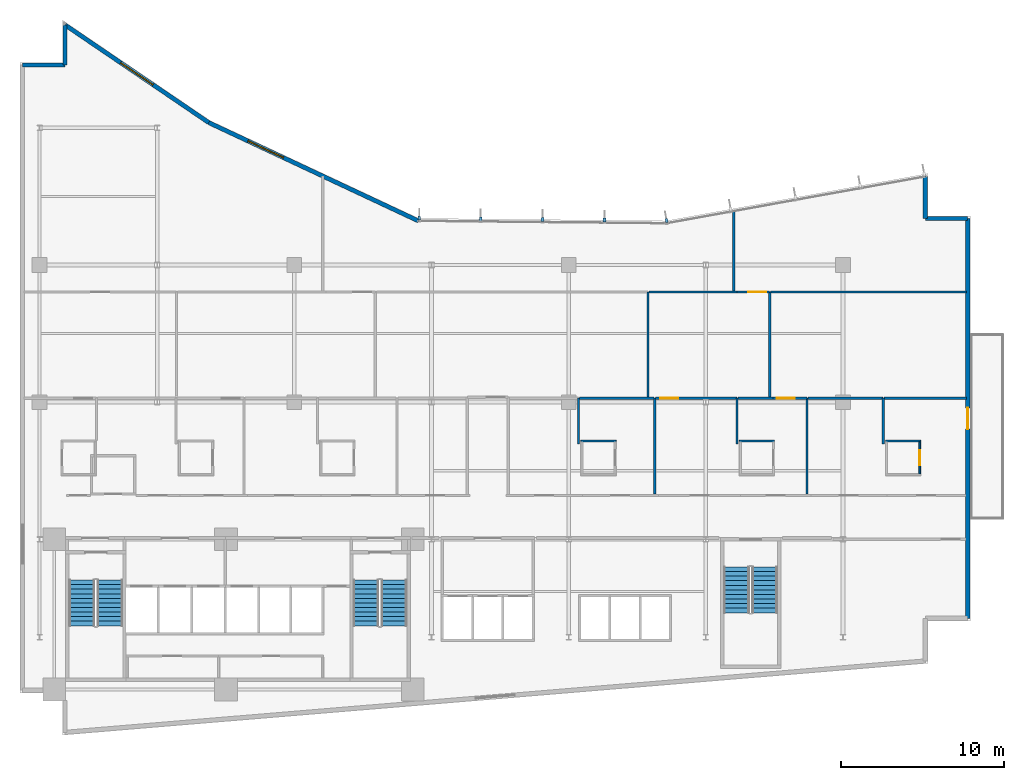
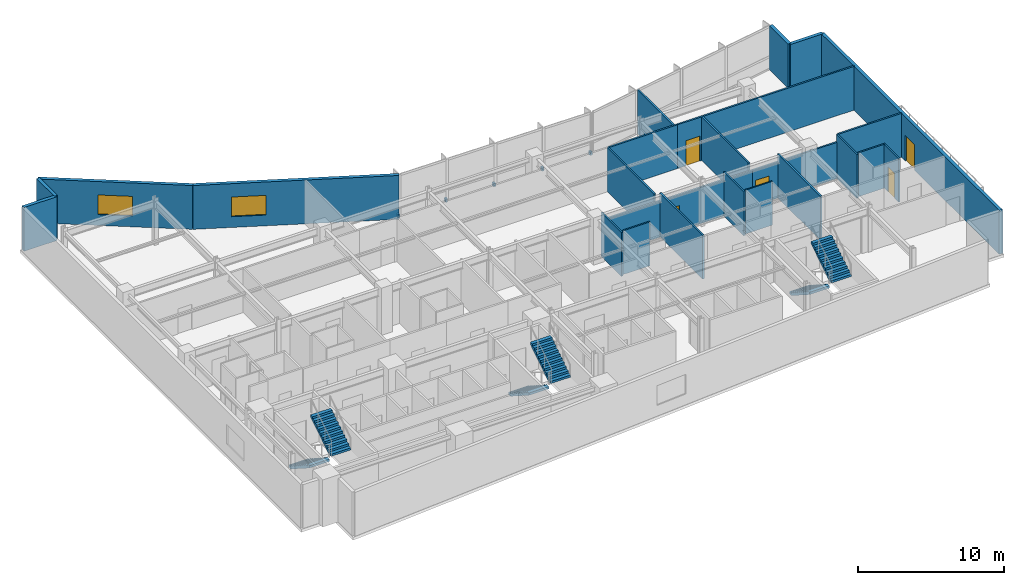
# One storey, part 13 of 19: 28 walls, 6 stair flights, 5 discrete accessories, 5 doors, 2 windows, 7 openings, 3 elements without a shape of their own.
"""IFC4 building model written with IfcOpenShell, lengths in metres."""

import ifcopenshell
import ifcopenshell.guid

model = None  # the IFC model being written
_history = None  # IfcOwnerHistory: only IFC2X3 demands one
_inside = {}  # id of a spatial element -> (the spatial element, [elements in it])
_under = {}  # id of a project, library or spatial element -> (it, [spatial elements below it])
_declared = {}  # id of a project -> (the project, [libraries it declares])
_typed = {}  # id of a type object -> (the type object, [elements of that type])
_made_of = {}  # id of a material, layer set ... -> (it, [elements and type objects made of it])


def new_model(schema):
    """Start an empty IFC model of exactly this schema.

    Asked for "IFC4X3", IfcOpenShell would pick the latest addendum, in which some entities
    have other attributes; the version numbers below select the first issue.
    IFC2X3 requires an IfcOwnerHistory on every rooted entity: one is made here for all.
    """
    global model, _history
    if schema == "IFC4X3":
        model = ifcopenshell.file(schema_version=(4, 3, 0, 0))
    else:
        model = ifcopenshell.file(schema=schema)
    _inside.clear()
    _under.clear()
    _declared.clear()
    _typed.clear()
    _made_of.clear()
    _history = None
    if model.schema == "IFC2X3":
        org = make("IfcOrganization", Name="unknown")
        user = make(
            "IfcPersonAndOrganization",
            ThePerson=make("IfcPerson", FamilyName="unknown"),
            TheOrganization=org,
        )
        app = make(
            "IfcApplication",
            ApplicationDeveloper=org,
            Version="unknown",
            ApplicationFullName="unknown",
            ApplicationIdentifier="unknown",
        )
        _history = make(
            "IfcOwnerHistory",
            OwningUser=user,
            OwningApplication=app,
            ChangeAction="ADDED",
            CreationDate=0,
        )
    return model


def make(cls, **values):
    """One entity of the class cls with the attributes given. An attribute that is None is left unset."""
    return model.create_entity(
        cls, **{name: value for name, value in values.items() if value is not None}
    )


def rooted(cls, **values):
    """An entity with a GlobalId (a new one), such as an element, a storey or a relation."""
    return make(cls, GlobalId=ifcopenshell.guid.new(), OwnerHistory=_history, **values)


def si_unit(unit_type, name, prefix=None):
    """IfcSIUnit, for example si_unit("LENGTHUNIT", "METRE", prefix="MILLI")."""
    return make("IfcSIUnit", UnitType=unit_type, Prefix=prefix, Name=name)


def assignment(units):
    """IfcUnitAssignment: the units of a project."""
    return None if units is None else make("IfcUnitAssignment", Units=units)


def point(xyz):
    """IfcCartesianPoint."""
    return None if xyz is None else make("IfcCartesianPoint", Coordinates=xyz)


def direction(xyz):
    """IfcDirection."""
    return None if xyz is None else make("IfcDirection", DirectionRatios=xyz)


def frame(location, z_axis=None, x_axis=None):
    """IfcAxis2Placement3D, a coordinate frame: its origin and axes. An axis left out is left unset."""
    return make(
        "IfcAxis2Placement3D",
        Location=point(location),
        Axis=direction(z_axis),
        RefDirection=direction(x_axis),
    )


def frame_2d(location, x_axis=None):
    """IfcAxis2Placement2D, a coordinate frame in the plane: its origin and x axis."""
    return make(
        "IfcAxis2Placement2D", Location=point(location), RefDirection=direction(x_axis)
    )


def origin():
    """The frame at (0, 0, 0) with its axes left unset."""
    return frame((0.0, 0.0, 0.0))


def origin_2d():
    """The frame at (0, 0) in the plane with its x axis left unset."""
    return frame_2d((0.0, 0.0))


def place(relative_to, where):
    """IfcLocalPlacement: puts the frame where relative to a parent placement (None: the world)."""
    return make(
        "IfcLocalPlacement", PlacementRelTo=relative_to, RelativePlacement=where
    )


def context(
    kind, dimensions, precision=None, world=None, true_north=None, identifier=None
):
    """IfcGeometricRepresentationContext, for example the 3D "Model" context."""
    return make(
        "IfcGeometricRepresentationContext",
        ContextIdentifier=identifier,
        ContextType=kind,
        CoordinateSpaceDimension=dimensions,
        Precision=precision,
        WorldCoordinateSystem=world,
        TrueNorth=true_north,
    )


def subcontext(parent, identifier, kind, view, scale=None):
    """IfcGeometricRepresentationSubContext, for example "Body" below "Model"."""
    return make(
        "IfcGeometricRepresentationSubContext",
        ContextIdentifier=identifier,
        ContextType=kind,
        ParentContext=parent,
        TargetScale=scale,
        TargetView=view,
    )


def project(units=None, contexts=None):
    """IfcProject with its units and contexts."""
    return rooted(
        "IfcProject",
        Name="project",
        RepresentationContexts=contexts,
        UnitsInContext=assignment(units),
    )


def spatial(cls, under=None, at=None, **own):
    """A site, building, storey or space (cls), placed at a placement, below another one or the project."""
    s = rooted(cls, ObjectPlacement=at, **own)
    if under is not None:
        _under.setdefault(under.id(), (under, []))[1].append(s)
    return s


def polyline(points):
    """IfcPolyline through the points."""
    return make("IfcPolyline", Points=[point(p) for p in points])


def profile(cls, at=None, kind="AREA", **sizes):
    """A parametric profile (cls). Its sizes go by their IFC names, for example OverallWidth=200.0."""
    return make(cls, ProfileType=kind, Position=at, **sizes)


def rectangle(**sizes):
    """IfcRectangleProfileDef."""
    return profile("IfcRectangleProfileDef", **sizes)


def outline(outer, holes=None, kind="AREA"):
    """IfcArbitraryClosedProfileDef: a profile drawn as a closed curve; with holes, ...WithVoids."""
    if holes is None:
        return make("IfcArbitraryClosedProfileDef", ProfileType=kind, OuterCurve=outer)
    return make(
        "IfcArbitraryProfileDefWithVoids",
        ProfileType=kind,
        OuterCurve=outer,
        InnerCurves=holes,
    )


def extrude(swept, where, along, depth):
    """IfcExtrudedAreaSolid: the profile swept, set in the frame where, extruded along a direction by depth."""
    return make(
        "IfcExtrudedAreaSolid",
        SweptArea=swept,
        Position=where,
        ExtrudedDirection=direction(along),
        Depth=depth,
    )


def shape(context_of_items, identifier, shape_type, items):
    """IfcShapeRepresentation: the items that make up one representation, for example the "Body"."""
    return make(
        "IfcShapeRepresentation",
        ContextOfItems=context_of_items,
        RepresentationIdentifier=identifier,
        RepresentationType=shape_type,
        Items=items,
    )


def material(Name=None, Category=None):
    """IfcMaterial."""
    return make("IfcMaterial", Name=Name, Category=Category)


def layer(
    of_material, thickness, ventilated=None, Name=None, Category=None, Priority=None
):
    """IfcMaterialLayer: one layer of a wall or slab, of a material (None: an air gap)."""
    return make(
        "IfcMaterialLayer",
        Material=of_material,
        LayerThickness=thickness,
        IsVentilated=ventilated,
        Name=Name,
        Category=Category,
        Priority=Priority,
    )


def layer_set(layers, Name=None):
    """IfcMaterialLayerSet."""
    return make("IfcMaterialLayerSet", MaterialLayers=layers, LayerSetName=Name)


def made_of(thing, what):
    """Note that an element or type object is made of a material, layer set ...; save() writes the relation."""
    if what is not None:
        _made_of.setdefault(what.id(), (what, []))[1].append(thing)
    return thing


def type_object(cls, material=None, **own):
    """A type object (cls), such as IfcWallType, which elements share."""
    return made_of(rooted(cls, **own), material)


def element(
    cls,
    number,
    at=None,
    inside=None,
    cuts=None,
    type_object=None,
    material=None,
    context=None,
    identifier="Body",
    shape_type=None,
    held_by="IfcProductDefinitionShape",
    body=None,
    shapes=None,
    **own,
):
    """One element of the class cls, such as IfcWall. Its Tag is "e" and its number.

    at: its placement. inside: the storey or other place that contains it. cuts: it is an
    opening in that element (IfcRelVoidsElement). A single representation is given by context,
    identifier, shape_type and body (its items); several are given by shapes. held_by: the class
    of the entity that holds the representations. save() writes the other relations.
    """
    e = rooted(cls, Tag="e%d" % number, ObjectPlacement=at, **own)
    if body is not None:
        shapes = [shape(context, identifier, shape_type, body)]
    if shapes is not None:
        e.Representation = make(held_by, Representations=shapes)
    if inside is not None:
        _inside.setdefault(inside.id(), (inside, []))[1].append(e)
    if cuts is not None:
        rooted(
            "IfcRelVoidsElement", RelatingBuildingElement=cuts, RelatedOpeningElement=e
        )
    if type_object is not None:
        _typed.setdefault(type_object.id(), (type_object, []))[1].append(e)
    return made_of(e, material)


def fill(opening, filler):
    """IfcRelFillsElement: the door or window that sits in an opening."""
    return rooted(
        "IfcRelFillsElement",
        RelatingOpeningElement=opening,
        RelatedBuildingElement=filler,
    )


def aggregate(whole, parts):
    """IfcRelAggregates: a whole, such as a stair, and the parts it consists of."""
    return rooted("IfcRelAggregates", RelatingObject=whole, RelatedObjects=parts)


def save(model, path):
    """Write the relations noted so far, then the file.

    IfcRelAggregates (storeys below a building ...), IfcRelContainedInSpatialStructure (elements
    in a storey), IfcRelDefinesByType, IfcRelAssociatesMaterial and IfcRelDeclares: one each for
    every whole, place, type object, material and project.
    """
    for whole, parts in _under.values():
        aggregate(whole, parts)
    for where, things in _inside.values():
        rooted(
            "IfcRelContainedInSpatialStructure",
            RelatedElements=things,
            RelatingStructure=where,
        )
    for kind, things in _typed.values():
        rooted("IfcRelDefinesByType", RelatedObjects=things, RelatingType=kind)
    for what, things in _made_of.values():
        rooted("IfcRelAssociatesMaterial", RelatedObjects=things, RelatingMaterial=what)
    for by, libraries in _declared.values():
        rooted("IfcRelDeclares", RelatingContext=by, RelatedDefinitions=libraries)
    model.write(path)


model = new_model("IFC4")

# Units and contexts
model_context = context("Model", 3, precision=1e-05, world=origin(), true_north=direction((0.0, 1.0)))
body_context = subcontext(model_context, "Body", "Model", "MODEL_VIEW")
ifc_project = project(units=[si_unit("LENGTHUNIT", "METRE"), si_unit("AREAUNIT", "SQUARE_METRE"), si_unit("VOLUMEUNIT", "CUBIC_METRE"), si_unit("PLANEANGLEUNIT", "RADIAN"), si_unit("MASSUNIT", "GRAM", prefix="KILO")], contexts=[model_context])

# Site, building, storey
site_placement = place(None, origin())
site = spatial("IfcSite", under=ifc_project, at=site_placement, CompositionType="ELEMENT")
building_placement = place(site_placement, origin())
building = spatial("IfcBuilding", under=site, at=building_placement, Name="Varnakote Quay Hospital", CompositionType="ELEMENT")
storey_placement = place(building_placement, frame((0.0, 0.0, 93.60009765625)))
storey = spatial("IfcBuildingStorey", under=building, at=storey_placement, Name="L23", CompositionType="ELEMENT", Elevation=93.60009765625)

# Walls
ifc_material_1 = material(Name="Moisture-resistant bathroom partition", Category="gypsum")
ifc_layer_1 = layer(ifc_material_1, 0.114990234375)
ifc_layer_set_1 = layer_set([ifc_layer_1], Name="Moisture-resistant bathroom partition")
wall_type_1 = type_object("IfcWallType", Name="WL-ENS-115", PredefinedType="PARTITIONING", material=ifc_layer_set_1)
wall_1_placement = place(storey_placement, frame((34.35498046875, 18.017578125, 0.0), z_axis=(0.0, 0.0, 1.0), x_axis=(1.0, 0.0, 0.0)))
element("IfcWall", 1, at=wall_1_placement, inside=storey, type_object=wall_type_1, Name="L23 Inpatient En-Suite Bathroom 04 N Wall", PredefinedType="PARTITIONING", context=body_context, shape_type="SweptSolid", body=[
    extrude(rectangle(XDim=2.14990234375, YDim=0.114990234375, at=frame_2d((1.074951171875, 0.0))), origin(), (0.0, 0.0, 1.0), 3.669921875),
])
for number, where, z_axis, x_axis, name in (
    (2, (44.054931640625, 18.017578125, 0.0), (0.0, 0.0, 1.0), (1.0, 0.0, 0.0), "L23 Inpatient En-Suite Bathroom 05 N Wall"),
    (3, (53.0048828125, 18.017578125, 0.0), (0.0, 0.0, 1.0), (1.0, 0.0, 0.0), "L23 Inpatient En-Suite Bathroom 06 N Wall"),
):
    element("IfcWall", number, at=place(storey_placement, frame(where, z_axis=z_axis, x_axis=x_axis)), inside=storey, type_object=wall_type_1, Name=name, PredefinedType="PARTITIONING", context=body_context, shape_type="SweptSolid", body=[
        extrude(rectangle(XDim=2.150146484375, YDim=0.114990234375, at=frame_2d((1.0751953125, 0.0))), origin(), (0.0, 0.0, 1.0), 3.669921875),
    ])

# Wall, opening, door
wall_2_placement = place(storey_placement, frame((55.097412109375, 16.010009765625, 0.0), z_axis=(0.0, 0.0, 1.0), x_axis=(0.0, 1.0, 0.0)))
wall_2 = element("IfcWall", 4, at=wall_2_placement, inside=storey, type_object=wall_type_1, Name="L23 Inpatient En-Suite Bathroom 06 E Wall", PredefinedType="PARTITIONING", context=body_context, shape_type="SweptSolid", body=[
    extrude(rectangle(XDim=1.949951171875, YDim=0.114990234375, at=frame_2d((0.97509765625, 0.0))), origin(), (0.0, 0.0, 1.0), 3.669921875),
])
opening_1_placement = place(wall_2_placement, frame((0.514892578125, 0.0, 0.0)))
opening_1 = element("IfcOpeningElement", 5, at=opening_1_placement, cuts=wall_2, Name="Opening D-L23-ENS06", PredefinedType="OPENING", context=body_context, shape_type="SweptSolid", body=[
    extrude(rectangle(XDim=0.919921875, YDim=2.10009765625, at=frame_2d((0.4599609375, 1.050048828125))), frame((0.0, 0.0673828125, 0.0), z_axis=(0.0, -1.0, 0.0), x_axis=(1.0, 0.0, 0.0)), (0.0, 0.0, 1.0), 0.135009765625),
])
ifc_material_2 = material(Name="Moisture-sealed en-suite bathroom door")
door_type_1 = type_object("IfcDoorType", Name="DR-ENS-920x2100", OperationType="NOTDEFINED", PredefinedType="DOOR", material=ifc_material_2)
door_1_placement = place(opening_1_placement, origin())
door_1 = element("IfcDoor", 6, at=door_1_placement, inside=storey, type_object=door_type_1, Name="L23 Inpatient En-Suite Bathroom 06 Door", OperationType="SINGLE_SWING_RIGHT", OverallHeight=2.10009765625, OverallWidth=0.919921875, PredefinedType="DOOR", context=body_context, shape_type="SweptSolid", body=[
    extrude(rectangle(XDim=0.919921875, YDim=2.10009765625, at=frame_2d((0.4599609375, 1.050048828125))), frame((0.0, 0.02490234375, 0.0), z_axis=(0.0, -1.0, 0.0), x_axis=(1.0, 0.0, 0.0)), (0.0, 0.0, 1.0), 0.050048828125),
])
fill(opening_1, door_1)

ifc_material_3 = material(Name="Precast concrete N50 (f'c 50 MPa)", Category="concrete")
ifc_layer_2 = layer(ifc_material_3, 0.260009765625)
ifc_layer_set_2 = layer_set([ifc_layer_2], Name="Precast concrete N50 (f'c 50 MPa)")
wall_type_2 = type_object("IfcWallType", Name="WL-EXT-BRICK-260", PredefinedType="STANDARD", material=ifc_layer_set_2)
wall_3_placement = place(storey_placement, frame((58.0400390625, 7.159912109375, 0.0), z_axis=(0.0, 0.0, 1.0), x_axis=(0.0, 1.0, 0.0)))
wall_3 = element("IfcWall", 7, at=wall_3_placement, inside=storey, type_object=wall_type_2, Name="L23 Healing Terrace Portal Brick Wall", PredefinedType="STANDARD", context=body_context, shape_type="SweptSolid", body=[
    extrude(rectangle(XDim=24.47998046875, YDim=0.260009765625, at=frame_2d((12.239990234375, 0.0))), origin(), (0.0, 0.0, 1.0), 3.669921875),
])
opening_2_placement = place(wall_3_placement, frame((11.590087890625, 0.0, 0.0)))
opening_2 = element("IfcOpeningElement", 8, at=opening_2_placement, cuts=wall_3, Name="Opening DT-L23", PredefinedType="OPENING", context=body_context, shape_type="SweptSolid", body=[
    extrude(rectangle(XDim=1.300048828125, YDim=2.14990234375, at=frame_2d((0.64990234375, 1.074951171875))), frame((0.0, 0.139892578125, 0.0), z_axis=(0.0, -1.0, 0.0), x_axis=(1.0, 0.0, 0.0)), (0.0, 0.0, 1.0), 0.280029296875),
])
ifc_material_4 = material(Name="Anodised aluminium glazed terrace door", Category="aluminium")
door_type_2 = type_object("IfcDoorType", Name="DR-EXT-TERR-1300x2150", OperationType="NOTDEFINED", PredefinedType="DOOR", material=ifc_material_4)
door_2_placement = place(opening_2_placement, origin())
door_2 = element("IfcDoor", 9, at=door_2_placement, inside=storey, type_object=door_type_2, Name="L23 Waterfront Healing Terrace Door", OperationType="SINGLE_SWING_RIGHT", OverallHeight=2.14990234375, OverallWidth=1.300048828125, PredefinedType="DOOR", context=body_context, shape_type="SweptSolid", body=[
    extrude(rectangle(XDim=1.300048828125, YDim=2.14990234375, at=frame_2d((0.64990234375, 1.074951171875))), frame((0.0, 0.02490234375, 0.0), z_axis=(0.0, -1.0, 0.0), x_axis=(1.0, 0.0, 0.0)), (0.0, 0.0, 1.0), 0.050048828125),
])
fill(opening_2, door_2)

# Walls
wall_4_placement = place(storey_placement, frame((58.0400390625, 31.639892578125, 0.0), z_axis=(0.0, 0.0, 1.0), x_axis=(-1.0, 0.0, 0.0)))
element("IfcWall", 10, at=wall_4_placement, inside=storey, type_object=wall_type_2, Name="L23 Brick-Faced Precast Exterior Wall", PredefinedType="STANDARD", context=body_context, shape_type="SweptSolid", body=[
    extrude(rectangle(XDim=2.60009765625, YDim=0.260009765625, at=frame_2d((1.300048828125, 0.0))), origin(), (0.0, 0.0, 1.0), 3.669921875),
])
wall_5_placement = place(storey_placement, frame((55.43994140625, 31.639892578125, 0.0), z_axis=(0.0, 0.0, 1.0), x_axis=(0.0, 1.0, 0.0)))
element("IfcWall", 11, at=wall_5_placement, inside=storey, type_object=wall_type_2, Name="L23 Brick-Faced Precast Exterior Wall", PredefinedType="STANDARD", context=body_context, shape_type="SweptSolid", body=[
    extrude(rectangle(XDim=2.568603515625, YDim=0.260009765625, at=frame_2d((1.2841796875, 0.0))), origin(), (0.0, 0.0, 1.0), 3.669921875),
])

# Wall, opening, window
wall_6_placement = place(storey_placement, frame((24.40771484375, 31.4921875, 0.0), z_axis=(0.0, 0.0, 1.0), x_axis=(-0.905396522918, 0.424566998585, 0.0)))
wall_6 = element("IfcWall", 12, at=wall_6_placement, inside=storey, type_object=wall_type_2, Name="L23 Brick-Faced Precast Exterior Wall", PredefinedType="STANDARD", context=body_context, shape_type="SweptSolid", body=[
    extrude(rectangle(XDim=14.189453125, YDim=0.260009765625, at=frame_2d((7.0947265625, 0.0))), origin(), (0.0, 0.0, 1.0), 3.669921875),
])
opening_3_placement = place(wall_6_placement, frame((9.14501953125, 0.0, 0.89990234375)))
opening_3 = element("IfcOpeningElement", 13, at=opening_3_placement, cuts=wall_6, Name="Opening WN-0107", PredefinedType="OPENING", context=body_context, shape_type="SweptSolid", body=[
    extrude(rectangle(XDim=2.39990234375, YDim=1.64990234375, at=frame_2d((1.199951171875, 0.824951171875))), frame((0.0, 0.139892578125, 0.0), z_axis=(0.0, -1.0, 0.0), x_axis=(1.0, 0.0, 0.0)), (0.0, 0.0, 1.0), 0.280029296875),
])
ifc_material_5 = material(Name="Double-glazed low-E solar glass", Category="glass")
window_type = type_object("IfcWindowType", Name="WIN-CLIN-2400x1650", PartitioningType="SINGLE_PANEL", PredefinedType="WINDOW", material=ifc_material_5)
window_1_placement = place(opening_3_placement, origin())
window_1 = element("IfcWindow", 14, at=window_1_placement, inside=storey, type_object=window_type, Name="L23 Solar-Control Clinical Window", OverallHeight=1.64990234375, OverallWidth=2.39990234375, PartitioningType="SINGLE_PANEL", PredefinedType="WINDOW", context=body_context, shape_type="SweptSolid", body=[
    extrude(rectangle(XDim=2.39990234375, YDim=1.64990234375, at=frame_2d((1.199951171875, 0.824951171875))), frame((0.0, 0.030029296875, 0.0), z_axis=(0.0, -1.0, 0.0), x_axis=(1.0, 0.0, 0.0)), (0.0, 0.0, 1.0), 0.06005859375),
])
fill(opening_3, window_1)

wall_7_placement = place(storey_placement, frame((11.560546875, 37.5166015625, 0.0), z_axis=(0.0, 0.0, 1.0), x_axis=(-0.827064743936, 0.562106670782, 0.0)))
wall_7 = element("IfcWall", 15, at=wall_7_placement, inside=storey, type_object=wall_type_2, Name="L23 Brick-Faced Precast Exterior Wall", PredefinedType="STANDARD", context=body_context, shape_type="SweptSolid", body=[
    extrude(rectangle(XDim=10.640625, YDim=0.260009765625, at=frame_2d((5.3203125, 0.0))), origin(), (0.0, 0.0, 1.0), 3.669921875),
])
opening_4_placement = place(wall_7_placement, frame((4.120361328125, 0.0, 0.89990234375)))
opening_4 = element("IfcOpeningElement", 16, at=opening_4_placement, cuts=wall_7, Name="Opening WN-0108", PredefinedType="OPENING", context=body_context, shape_type="SweptSolid", body=[
    extrude(rectangle(XDim=2.39990234375, YDim=1.64990234375, at=frame_2d((1.199951171875, 0.824951171875))), frame((0.0, 0.139892578125, 0.0), z_axis=(0.0, -1.0, 0.0), x_axis=(1.0, 0.0, 0.0)), (0.0, 0.0, 1.0), 0.280029296875),
])
window_2_placement = place(opening_4_placement, origin())
window_2 = element("IfcWindow", 17, at=window_2_placement, inside=storey, type_object=window_type, Name="L23 Solar-Control Clinical Window", OverallHeight=1.64990234375, OverallWidth=2.39990234375, PartitioningType="SINGLE_PANEL", PredefinedType="WINDOW", context=body_context, shape_type="SweptSolid", body=[
    extrude(rectangle(XDim=2.39990234375, YDim=1.64990234375, at=frame_2d((1.199951171875, 0.824951171875))), frame((0.0, 0.030029296875, 0.0), z_axis=(0.0, -1.0, 0.0), x_axis=(1.0, 0.0, 0.0)), (0.0, 0.0, 1.0), 0.06005859375),
])
fill(opening_4, window_2)

# Walls
wall_8_placement = place(storey_placement, frame((2.760009765625, 43.497802734375, 0.0), z_axis=(0.0, 0.0, 1.0), x_axis=(0.0, -1.0, 0.0)))
element("IfcWall", 18, at=wall_8_placement, inside=storey, type_object=wall_type_2, Name="L23 Brick-Faced Precast Exterior Wall", PredefinedType="STANDARD", context=body_context, shape_type="SweptSolid", body=[
    extrude(rectangle(XDim=2.457763671875, YDim=0.260009765625, at=frame_2d((1.22900390625, 0.0))), origin(), (0.0, 0.0, 1.0), 3.669921875),
])
wall_9_placement = place(storey_placement, frame((2.760009765625, 41.0400390625, 0.0), z_axis=(0.0, 0.0, 1.0), x_axis=(-1.0, 0.0, 0.0)))
element("IfcWall", 19, at=wall_9_placement, inside=storey, type_object=wall_type_2, Name="L23 Brick-Faced Precast Exterior Wall", PredefinedType="STANDARD", context=body_context, shape_type="SweptSolid", body=[
    extrude(rectangle(XDim=2.60009765625, YDim=0.260009765625, at=frame_2d((1.300048828125, 0.0))), origin(), (0.0, 0.0, 1.0), 3.669921875),
])
ifc_material_6 = material(Name="Smoke-proof clinical partition", Category="gypsum")
ifc_layer_3 = layer(ifc_material_6, 0.135009765625)
ifc_layer_set_3 = layer_set([ifc_layer_3], Name="Smoke-proof clinical partition")
wall_type_3 = type_object("IfcWallType", Name="WL-SMOKE-135", PredefinedType="PARTITIONING", material=ifc_layer_set_3)
wall_10_placement = place(storey_placement, frame((34.2099609375, 17.83251953125, 0.0), z_axis=(0.0, 0.0, 1.0), x_axis=(0.0, 1.0, 0.0)))
element("IfcWall", 20, at=wall_10_placement, inside=storey, type_object=wall_type_3, Name="L23 Clinical Interior Partition", PredefinedType="PARTITIONING", context=body_context, shape_type="SweptSolid", body=[
    extrude(rectangle(XDim=2.807373046875, YDim=0.135009765625, at=frame_2d((1.40380859375, 0.0))), origin(), (0.0, 0.0, 1.0), 3.669921875),
])
wall_11_placement = place(storey_placement, frame((38.8701171875, 14.760009765625, 0.0), z_axis=(0.0, 0.0, 1.0), x_axis=(0.0, 1.0, 0.0)))
element("IfcWall", 21, at=wall_11_placement, inside=storey, type_object=wall_type_3, Name="L23 Clinical Interior Partition", PredefinedType="PARTITIONING", context=body_context, shape_type="SweptSolid", body=[
    extrude(rectangle(XDim=5.8798828125, YDim=0.135009765625, at=frame_2d((2.93994140625, 0.0))), origin(), (0.0, 0.0, 1.0), 3.669921875),
])
wall_12_placement = place(storey_placement, frame((38.8125, 20.639892578125, 0.0), z_axis=(0.0, 0.0, 1.0), x_axis=(-1.0, 0.0, 0.0)))
element("IfcWall", 22, at=wall_12_placement, inside=storey, type_object=wall_type_3, Name="L23 Clinical Interior Partition", PredefinedType="PARTITIONING", context=body_context, shape_type="SweptSolid", body=[
    extrude(rectangle(XDim=4.544921875, YDim=0.135009765625, at=frame_2d((2.2724609375, 0.0))), origin(), (0.0, 0.0, 1.0), 3.032958984375),
])
wall_13_placement = place(storey_placement, frame((43.909912109375, 17.83251953125, 0.0), z_axis=(0.0, 0.0, 1.0), x_axis=(0.0, 1.0, 0.0)))
element("IfcWall", 23, at=wall_13_placement, inside=storey, type_object=wall_type_3, Name="L23 Clinical Interior Partition", PredefinedType="PARTITIONING", context=body_context, shape_type="SweptSolid", body=[
    extrude(rectangle(XDim=2.807373046875, YDim=0.135009765625, at=frame_2d((1.40380859375, 0.0))), origin(), (0.0, 0.0, 1.0), 3.669921875),
])

# Wall, opening, door
wall_14_placement = place(storey_placement, frame((43.909912109375, 20.639892578125, 0.0), z_axis=(0.0, 0.0, 1.0), x_axis=(-1.0, 0.0, 0.0)))
wall_14 = element("IfcWall", 24, at=wall_14_placement, inside=storey, type_object=wall_type_3, Name="L23 Clinical Interior Partition", PredefinedType="PARTITIONING", context=body_context, shape_type="SweptSolid", body=[
    extrude(rectangle(XDim=4.982421875, YDim=0.135009765625, at=frame_2d((2.4912109375, 0.0))), origin(), (0.0, 0.0, 1.0), 3.032958984375),
])
opening_5_placement = place(wall_14_placement, frame((3.595458984375, 0.0, 0.0)))
opening_5 = element("IfcOpeningElement", 25, at=opening_5_placement, cuts=wall_14, Name="Opening D-L23-DLNG", PredefinedType="OPENING", context=body_context, shape_type="SweptSolid", body=[
    extrude(rectangle(XDim=1.10009765625, YDim=2.10009765625, at=frame_2d((0.550048828125, 1.050048828125))), frame((0.0, 0.077392578125, 0.0), z_axis=(0.0, -1.0, 0.0), x_axis=(1.0, 0.0, 0.0)), (0.0, 0.0, 1.0), 0.155029296875),
])
ifc_material_7 = material(Name="Acoustic timber clinical consult door", Category="wood")
door_type_3 = type_object("IfcDoorType", Name="DR-CLIN-FD30S-1100x2100", OperationType="NOTDEFINED", PredefinedType="DOOR", material=ifc_material_7)
door_3_placement = place(opening_5_placement, origin())
door_3 = element("IfcDoor", 26, at=door_3_placement, inside=storey, type_object=door_type_3, Name="L23 Waterfront Patient & Family Dayroom Door", OperationType="SINGLE_SWING_LEFT", OverallHeight=2.10009765625, OverallWidth=1.10009765625, PredefinedType="DOOR", context=body_context, shape_type="SweptSolid", body=[
    extrude(rectangle(XDim=1.10009765625, YDim=2.10009765625, at=frame_2d((0.550048828125, 1.050048828125))), frame((0.0, 0.02490234375, 0.0), z_axis=(0.0, -1.0, 0.0), x_axis=(1.0, 0.0, 0.0)), (0.0, 0.0, 1.0), 0.050048828125),
])
fill(opening_5, door_3)

# Walls
wall_15_placement = place(storey_placement, frame((48.199951171875, 14.760009765625, 0.0), z_axis=(0.0, 0.0, 1.0), x_axis=(0.0, 1.0, 0.0)))
element("IfcWall", 27, at=wall_15_placement, inside=storey, type_object=wall_type_3, Name="L23 Clinical Interior Partition", PredefinedType="PARTITIONING", context=body_context, shape_type="SweptSolid", body=[
    extrude(rectangle(XDim=5.8798828125, YDim=0.135009765625, at=frame_2d((2.93994140625, 0.0))), origin(), (0.0, 0.0, 1.0), 3.669921875),
])
wall_16_placement = place(storey_placement, frame((46.117431640625, 20.639892578125, 0.0), z_axis=(0.0, 0.0, 1.0), x_axis=(-1.0, 0.0, 0.0)))
element("IfcWall", 28, at=wall_16_placement, inside=storey, type_object=wall_type_3, Name="L23 Clinical Interior Partition", PredefinedType="PARTITIONING", context=body_context, shape_type="SweptSolid", body=[
    extrude(rectangle(XDim=2.14990234375, YDim=0.135009765625, at=frame_2d((1.074951171875, 0.0))), origin(), (0.0, 0.0, 1.0), 3.032958984375),
])

# Wall, opening, door
wall_17_placement = place(storey_placement, frame((48.199951171875, 20.639892578125, 0.0), z_axis=(0.0, 0.0, 1.0), x_axis=(-1.0, 0.0, 0.0)))
wall_17 = element("IfcWall", 29, at=wall_17_placement, inside=storey, type_object=wall_type_3, Name="L23 Clinical Interior Partition", PredefinedType="PARTITIONING", context=body_context, shape_type="SweptSolid", body=[
    extrude(rectangle(XDim=2.08056640625, YDim=0.135009765625, at=frame_2d((1.040283203125, 0.0))), origin(), (0.0, 0.0, 1.0), 3.032958984375),
])
opening_6_placement = place(wall_17_placement, frame((0.76611328125, 0.0, 0.0)))
opening_6 = element("IfcOpeningElement", 30, at=opening_6_placement, cuts=wall_17, Name="Opening D-L23-WPNT", PredefinedType="OPENING", context=body_context, shape_type="SweptSolid", body=[
    extrude(rectangle(XDim=1.10009765625, YDim=2.10009765625, at=frame_2d((0.550048828125, 1.050048828125))), frame((0.0, 0.077392578125, 0.0), z_axis=(0.0, -1.0, 0.0), x_axis=(1.0, 0.0, 0.0)), (0.0, 0.0, 1.0), 0.155029296875),
])
door_4_placement = place(opening_6_placement, origin())
door_4 = element("IfcDoor", 31, at=door_4_placement, inside=storey, type_object=door_type_3, Name="L23 Ward Clinical Nutrition Pantry Door", OperationType="SINGLE_SWING_RIGHT", OverallHeight=2.10009765625, OverallWidth=1.10009765625, PredefinedType="DOOR", context=body_context, shape_type="SweptSolid", body=[
    extrude(rectangle(XDim=1.10009765625, YDim=2.10009765625, at=frame_2d((0.550048828125, 1.050048828125))), frame((0.0, 0.02490234375, 0.0), z_axis=(0.0, -1.0, 0.0), x_axis=(1.0, 0.0, 0.0)), (0.0, 0.0, 1.0), 0.050048828125),
])
fill(opening_6, door_4)

# Walls
wall_18_placement = place(storey_placement, frame((52.860107421875, 17.83251953125, 0.0), z_axis=(0.0, 0.0, 1.0), x_axis=(0.0, 1.0, 0.0)))
element("IfcWall", 32, at=wall_18_placement, inside=storey, type_object=wall_type_3, Name="L23 Clinical Interior Partition", PredefinedType="PARTITIONING", context=body_context, shape_type="SweptSolid", body=[
    extrude(rectangle(XDim=2.807373046875, YDim=0.135009765625, at=frame_2d((1.40380859375, 0.0))), origin(), (0.0, 0.0, 1.0), 3.669921875),
])
wall_19_placement = place(storey_placement, frame((52.860107421875, 20.639892578125, 0.0), z_axis=(0.0, 0.0, 1.0), x_axis=(-1.0, 0.0, 0.0)))
element("IfcWall", 33, at=wall_19_placement, inside=storey, type_object=wall_type_3, Name="L23 Clinical Interior Partition", PredefinedType="PARTITIONING", context=body_context, shape_type="SweptSolid", body=[
    extrude(rectangle(XDim=4.6025390625, YDim=0.135009765625, at=frame_2d((2.30126953125, 0.0))), origin(), (0.0, 0.0, 1.0), 3.032958984375),
])
wall_20_placement = place(storey_placement, frame((57.9599609375, 20.639892578125, 0.0), z_axis=(0.0, 0.0, 1.0), x_axis=(-1.0, 0.0, 0.0)))
element("IfcWall", 34, at=wall_20_placement, inside=storey, type_object=wall_type_3, Name="L23 Clinical Interior Partition", PredefinedType="PARTITIONING", context=body_context, shape_type="SweptSolid", body=[
    extrude(rectangle(XDim=5.04248046875, YDim=0.135009765625, at=frame_2d((2.521240234375, 0.0))), origin(), (0.0, 0.0, 1.0), 3.669921875),
])
for number, where, z_axis, x_axis, name in (
    (35, (38.449951171875, 20.697509765625, 0.0), (0.0, 0.0, 1.0), (0.0, 1.0, 0.0), "L23 Clinical Interior Partition"),
    (36, (45.909912109375, 20.697509765625, 0.0), (0.0, 0.0, 1.0), (0.0, 1.0, 0.0), "L23 Clinical Interior Partition"),
):
    element("IfcWall", number, at=place(storey_placement, frame(where, z_axis=z_axis, x_axis=x_axis)), inside=storey, type_object=wall_type_3, Name=name, PredefinedType="PARTITIONING", context=body_context, shape_type="SweptSolid", body=[
        extrude(rectangle(XDim=6.4423828125, YDim=0.135009765625, at=frame_2d((3.22119140625, 0.0))), origin(), (0.0, 0.0, 1.0), 3.669921875),
    ])
wall_21_placement = place(storey_placement, frame((43.91748046875, 27.139892578125, 0.0), z_axis=(0.0, 0.0, 1.0), x_axis=(-1.0, 0.0, 0.0)))
element("IfcWall", 37, at=wall_21_placement, inside=storey, type_object=wall_type_3, Name="L23 Clinical Interior Partition", PredefinedType="PARTITIONING", context=body_context, shape_type="SweptSolid", body=[
    extrude(rectangle(XDim=5.409912109375, YDim=0.135009765625, at=frame_2d((2.705078125, 0.0))), origin(), (0.0, 0.0, 1.0), 3.669921875),
])

# Wall, opening, door
wall_22_placement = place(storey_placement, frame((45.909912109375, 27.139892578125, 0.0), z_axis=(0.0, 0.0, 1.0), x_axis=(-1.0, 0.0, 0.0)))
wall_22 = element("IfcWall", 38, at=wall_22_placement, inside=storey, type_object=wall_type_3, Name="L23 Clinical Interior Partition", PredefinedType="PARTITIONING", context=body_context, shape_type="SweptSolid", body=[
    extrude(rectangle(XDim=1.990478515625, YDim=0.135009765625, at=frame_2d((0.9951171875, 0.0))), origin(), (0.0, 0.0, 1.0), 3.669921875),
])
opening_7_placement = place(wall_22_placement, frame((0.21240234375, 0.0, 0.0)))
opening_7 = element("IfcOpeningElement", 39, at=opening_7_placement, cuts=wall_22, Name="Opening D-L23-MD12", PredefinedType="OPENING", context=body_context, shape_type="SweptSolid", body=[
    extrude(rectangle(XDim=1.10009765625, YDim=2.10009765625, at=frame_2d((0.550048828125, 1.050048828125))), frame((0.0, 0.077392578125, 0.0), z_axis=(0.0, -1.0, 0.0), x_axis=(1.0, 0.0, 0.0)), (0.0, 0.0, 1.0), 0.155029296875),
])
door_5_placement = place(opening_7_placement, origin())
door_5 = element("IfcDoor", 40, at=door_5_placement, inside=storey, type_object=door_type_3, Name="L23 Senior Intensivist Office Door", OperationType="SINGLE_SWING_LEFT", OverallHeight=2.10009765625, OverallWidth=1.10009765625, PredefinedType="DOOR", context=body_context, shape_type="SweptSolid", body=[
    extrude(rectangle(XDim=1.10009765625, YDim=2.10009765625, at=frame_2d((0.550048828125, 1.050048828125))), frame((0.0, 0.02490234375, 0.0), z_axis=(0.0, -1.0, 0.0), x_axis=(1.0, 0.0, 0.0)), (0.0, 0.0, 1.0), 0.050048828125),
])
fill(opening_7, door_5)

# Walls
wall_23_placement = place(storey_placement, frame((57.9599609375, 27.139892578125, 0.0), z_axis=(0.0, 0.0, 1.0), x_axis=(-1.0, 0.0, 0.0)))
element("IfcWall", 41, at=wall_23_placement, inside=storey, type_object=wall_type_3, Name="L23 Clinical Interior Partition", PredefinedType="PARTITIONING", context=body_context, shape_type="SweptSolid", body=[
    extrude(rectangle(XDim=11.992431640625, YDim=0.135009765625, at=frame_2d((5.99609375, 0.0))), origin(), (0.0, 0.0, 1.0), 3.669921875),
])
wall_24_placement = place(storey_placement, frame((43.7099609375, 27.197509765625, 0.0), z_axis=(0.0, 0.0, 1.0), x_axis=(0.0, 1.0, 0.0)))
element("IfcWall", 42, at=wall_24_placement, inside=storey, type_object=wall_type_3, Name="L23 Clinical Interior Partition", PredefinedType="PARTITIONING", context=body_context, shape_type="SweptSolid", body=[
    extrude(rectangle(XDim=4.890869140625, YDim=0.135009765625, at=frame_2d((2.4453125, 0.0))), origin(), (0.0, 0.0, 1.0), 3.669921875),
])

# Stair, stair flights
ifc_material_8 = material(Name="Concrete N40 (f'c 40 MPa)", Category="concrete")
stair_type = type_object("IfcStairType", Name="STR-CORE-1580", PredefinedType="HALF_TURN_STAIR", material=ifc_material_8)
stair_1_placement = place(storey_placement, origin())
stair_1 = element("IfcStair", 43, at=stair_1_placement, inside=storey, type_object=stair_type, Name="L23 Fire-Isolated Exit Stair ST-01", PredefinedType="HALF_TURN_STAIR")
ifc_material_9 = material(Name="Concrete N40 (f'c 40 MPa)", Category="concrete")
ifc_layer_4 = layer(ifc_material_9, 0.159912109375)
ifc_layer_set_4 = layer_set([ifc_layer_4], Name="Concrete N40 (f'c 40 MPa)")
stair_flight_type = type_object("IfcStairFlightType", Name="FLT-CORE-1580", PredefinedType="STRAIGHT", material=ifc_layer_set_4)
stair_flight_1_placement = place(storey_placement, frame((3.7900390625, 9.5, 0.0), z_axis=(0.0, 0.0, 1.0), x_axis=(0.0, -1.0, 0.0)))
stair_flight_1 = element("IfcStairFlight", 44, at=stair_flight_1_placement, type_object=stair_flight_type, Name="ST-01 flight 1", NumberOfRisers=11, NumberOfTreads=10, PredefinedType="STRAIGHT", RiserHeight=0.179545455, TreadLength=0.28, context=body_context, shape_type="SweptSolid", body=[
    extrude(outline(polyline([(0.0, 0.0), (0.0, 0.179443359375), (0.280029296875, 0.179443359375), (0.280029296875, 0.359130859375), (0.56005859375, 0.359130859375), (0.56005859375, 0.53857421875), (0.840087890625, 0.53857421875), (0.840087890625, 0.71826171875), (1.1201171875, 0.71826171875), (1.1201171875, 0.897705078125), (1.39990234375, 0.897705078125), (1.39990234375, 1.077392578125), (1.679931640625, 1.077392578125), (1.679931640625, 1.2568359375), (1.9599609375, 1.2568359375), (1.9599609375, 1.436279296875), (2.239990234375, 1.436279296875), (2.239990234375, 1.615966796875), (2.52001953125, 1.615966796875), (2.52001953125, 1.79541015625), (2.800048828125, 1.79541015625), (2.800048828125, 1.97509765625), (2.800048828125, 1.60546875), (0.296142578125, 0.0), (0.0, 0.0)])), frame((0.0, 0.7900390625, 0.0), z_axis=(0.0, -1.0, 0.0), x_axis=(1.0, 0.0, 0.0)), (0.0, 0.0, 1.0), 1.580078125),
])
stair_flight_2_placement = place(storey_placement, frame((5.510009765625, 6.699951171875, 1.974853515625), z_axis=(0.0, 0.0, 1.0), x_axis=(0.0, 1.0, 0.0)))
stair_flight_2 = element("IfcStairFlight", 45, at=stair_flight_2_placement, type_object=stair_flight_type, Name="ST-01 flight 2", NumberOfRisers=11, NumberOfTreads=10, PredefinedType="STRAIGHT", RiserHeight=0.179545455, TreadLength=0.28, context=body_context, shape_type="SweptSolid", body=[
    extrude(outline(polyline([(0.0, 0.0), (0.0, 0.179443359375), (0.280029296875, 0.179443359375), (0.280029296875, 0.359130859375), (0.56005859375, 0.359130859375), (0.56005859375, 0.53857421875), (0.840087890625, 0.53857421875), (0.840087890625, 0.71826171875), (1.1201171875, 0.71826171875), (1.1201171875, 0.897705078125), (1.39990234375, 0.897705078125), (1.39990234375, 1.077392578125), (1.679931640625, 1.077392578125), (1.679931640625, 1.2568359375), (1.9599609375, 1.2568359375), (1.9599609375, 1.436279296875), (2.239990234375, 1.436279296875), (2.239990234375, 1.615966796875), (2.52001953125, 1.615966796875), (2.52001953125, 1.79541015625), (2.800048828125, 1.79541015625), (2.800048828125, 1.97509765625), (2.800048828125, 1.60546875), (0.296142578125, 0.0), (0.0, 0.0)])), frame((0.0, 0.7900390625, 0.0), z_axis=(0.0, -1.0, 0.0), x_axis=(1.0, 0.0, 0.0)), (0.0, 0.0, 1.0), 1.580078125),
])
aggregate(stair_1, [stair_flight_1, stair_flight_2])

stair_2_placement = place(storey_placement, origin())
stair_2 = element("IfcStair", 46, at=stair_2_placement, inside=storey, type_object=stair_type, Name="L23 Fire-Isolated Exit Stair ST-02", PredefinedType="HALF_TURN_STAIR")
stair_flight_3_placement = place(storey_placement, frame((21.18994140625, 9.5, 0.0), z_axis=(0.0, 0.0, 1.0), x_axis=(0.0, -1.0, 0.0)))
stair_flight_3 = element("IfcStairFlight", 47, at=stair_flight_3_placement, type_object=stair_flight_type, Name="ST-02 flight 1", NumberOfRisers=11, NumberOfTreads=10, PredefinedType="STRAIGHT", RiserHeight=0.179545455, TreadLength=0.28, context=body_context, shape_type="SweptSolid", body=[
    extrude(outline(polyline([(0.0, 0.0), (0.0, 0.179443359375), (0.280029296875, 0.179443359375), (0.280029296875, 0.359130859375), (0.56005859375, 0.359130859375), (0.56005859375, 0.53857421875), (0.840087890625, 0.53857421875), (0.840087890625, 0.71826171875), (1.1201171875, 0.71826171875), (1.1201171875, 0.897705078125), (1.39990234375, 0.897705078125), (1.39990234375, 1.077392578125), (1.679931640625, 1.077392578125), (1.679931640625, 1.2568359375), (1.9599609375, 1.2568359375), (1.9599609375, 1.436279296875), (2.239990234375, 1.436279296875), (2.239990234375, 1.615966796875), (2.52001953125, 1.615966796875), (2.52001953125, 1.79541015625), (2.800048828125, 1.79541015625), (2.800048828125, 1.97509765625), (2.800048828125, 1.60546875), (0.296142578125, 0.0), (0.0, 0.0)])), frame((0.0, 0.7900390625, 0.0), z_axis=(0.0, -1.0, 0.0), x_axis=(1.0, 0.0, 0.0)), (0.0, 0.0, 1.0), 1.580078125),
])
stair_flight_4_placement = place(storey_placement, frame((22.909912109375, 6.699951171875, 1.974853515625), z_axis=(0.0, 0.0, 1.0), x_axis=(0.0, 1.0, 0.0)))
stair_flight_4 = element("IfcStairFlight", 48, at=stair_flight_4_placement, type_object=stair_flight_type, Name="ST-02 flight 2", NumberOfRisers=11, NumberOfTreads=10, PredefinedType="STRAIGHT", RiserHeight=0.179545455, TreadLength=0.28, context=body_context, shape_type="SweptSolid", body=[
    extrude(outline(polyline([(0.0, 0.0), (0.0, 0.179443359375), (0.280029296875, 0.179443359375), (0.280029296875, 0.359130859375), (0.56005859375, 0.359130859375), (0.56005859375, 0.53857421875), (0.840087890625, 0.53857421875), (0.840087890625, 0.71826171875), (1.1201171875, 0.71826171875), (1.1201171875, 0.897705078125), (1.39990234375, 0.897705078125), (1.39990234375, 1.077392578125), (1.679931640625, 1.077392578125), (1.679931640625, 1.2568359375), (1.9599609375, 1.2568359375), (1.9599609375, 1.436279296875), (2.239990234375, 1.436279296875), (2.239990234375, 1.615966796875), (2.52001953125, 1.615966796875), (2.52001953125, 1.79541015625), (2.800048828125, 1.79541015625), (2.800048828125, 1.97509765625), (2.800048828125, 1.60546875), (0.296142578125, 0.0), (0.0, 0.0)])), frame((0.0, 0.7900390625, 0.0), z_axis=(0.0, -1.0, 0.0), x_axis=(1.0, 0.0, 0.0)), (0.0, 0.0, 1.0), 1.580078125),
])
aggregate(stair_2, [stair_flight_3, stair_flight_4])

stair_3_placement = place(storey_placement, origin())
stair_3 = element("IfcStair", 49, at=stair_3_placement, inside=storey, type_object=stair_type, Name="L23 Fire-Isolated Exit Stair ST-03", PredefinedType="HALF_TURN_STAIR")
stair_flight_5_placement = place(storey_placement, frame((43.889892578125, 10.300048828125, 0.0), z_axis=(0.0, 0.0, 1.0), x_axis=(0.0, -1.0, 0.0)))
stair_flight_5 = element("IfcStairFlight", 50, at=stair_flight_5_placement, type_object=stair_flight_type, Name="ST-03 flight 1", NumberOfRisers=11, NumberOfTreads=10, PredefinedType="STRAIGHT", RiserHeight=0.179545455, TreadLength=0.28, context=body_context, shape_type="SweptSolid", body=[
    extrude(outline(polyline([(0.0, 0.0), (0.0, 0.179443359375), (0.280029296875, 0.179443359375), (0.280029296875, 0.359130859375), (0.56005859375, 0.359130859375), (0.56005859375, 0.53857421875), (0.840087890625, 0.53857421875), (0.840087890625, 0.71826171875), (1.1201171875, 0.71826171875), (1.1201171875, 0.897705078125), (1.39990234375, 0.897705078125), (1.39990234375, 1.077392578125), (1.679931640625, 1.077392578125), (1.679931640625, 1.2568359375), (1.9599609375, 1.2568359375), (1.9599609375, 1.436279296875), (2.239990234375, 1.436279296875), (2.239990234375, 1.615966796875), (2.52001953125, 1.615966796875), (2.52001953125, 1.79541015625), (2.800048828125, 1.79541015625), (2.800048828125, 1.97509765625), (2.800048828125, 1.60546875), (0.296142578125, 0.0), (0.0, 0.0)])), frame((0.0, 0.7900390625, 0.0), z_axis=(0.0, -1.0, 0.0), x_axis=(1.0, 0.0, 0.0)), (0.0, 0.0, 1.0), 1.580078125),
])
stair_flight_6_placement = place(storey_placement, frame((45.610107421875, 7.5, 1.974853515625), z_axis=(0.0, 0.0, 1.0), x_axis=(0.0, 1.0, 0.0)))
stair_flight_6 = element("IfcStairFlight", 51, at=stair_flight_6_placement, type_object=stair_flight_type, Name="ST-03 flight 2", NumberOfRisers=11, NumberOfTreads=10, PredefinedType="STRAIGHT", RiserHeight=0.179545455, TreadLength=0.28, context=body_context, shape_type="SweptSolid", body=[
    extrude(outline(polyline([(0.0, 0.0), (0.0, 0.179443359375), (0.280029296875, 0.179443359375), (0.280029296875, 0.359130859375), (0.56005859375, 0.359130859375), (0.56005859375, 0.53857421875), (0.840087890625, 0.53857421875), (0.840087890625, 0.71826171875), (1.1201171875, 0.71826171875), (1.1201171875, 0.897705078125), (1.39990234375, 0.897705078125), (1.39990234375, 1.077392578125), (1.679931640625, 1.077392578125), (1.679931640625, 1.2568359375), (1.9599609375, 1.2568359375), (1.9599609375, 1.436279296875), (2.239990234375, 1.436279296875), (2.239990234375, 1.615966796875), (2.52001953125, 1.615966796875), (2.52001953125, 1.79541015625), (2.800048828125, 1.79541015625), (2.800048828125, 1.97509765625), (2.800048828125, 1.60546875), (0.296142578125, 0.0), (0.0, 0.0)])), frame((0.0, 0.7900390625, 0.0), z_axis=(0.0, -1.0, 0.0), x_axis=(1.0, 0.0, 0.0)), (0.0, 0.0, 1.0), 1.580078125),
])
aggregate(stair_3, [stair_flight_5, stair_flight_6])

# Discrete accessories
ifc_material_10 = material(Name="Anodised aluminium 6063-T6 Bronze", Category="aluminium")
discrete_accessory_type = type_object("IfcDiscreteAccessoryType", Name="ACC-FIN-BRACKET-180", PredefinedType="BRACKET", material=ifc_material_10)
for number, where, z_axis, x_axis, name in (
    (52, (39.59619140625, 31.517822265625, 0.0), (0.0, 0.0, 1.0), (-0.984071739666, -0.177771795263, 0.0), "L23 Curtain Wall Fin Fixing Bracket"),
    (53, (35.7958984375, 31.551025390625, 0.0), (0.0, 0.0, 1.0), (-0.999952236369, 0.009773688199, 0.0), "L23 Curtain Wall Fin Fixing Bracket"),
    (54, (32.000244140625, 31.588134765625, 0.0), (0.0, 0.0, 1.0), (-0.999952236369, 0.009773688199, 0.0), "L23 Curtain Wall Fin Fixing Bracket"),
    (55, (28.204833984375, 31.625244140625, 0.0), (0.0, 0.0, 1.0), (-0.999952236369, 0.009773688199, 0.0), "L23 Curtain Wall Fin Fixing Bracket"),
    (56, (24.44677734375, 31.661865234375, 0.0), (0.0, 0.0, 1.0), (-0.999952236369, 0.009773688199, 0.0), "L23 Curtain Wall Fin Fixing Bracket"),
):
    element("IfcDiscreteAccessory", number, at=place(storey_placement, frame(where, z_axis=z_axis, x_axis=x_axis)), inside=storey, type_object=discrete_accessory_type, Name=name, PredefinedType="BRACKET", context=body_context, shape_type="SweptSolid", body=[
        extrude(rectangle(XDim=0.159912109375, YDim=0.239990234375, at=origin_2d()), origin(), (0.0, 0.0, 1.0), 0.280029296875),
    ])

save(model, "model.ifc")
